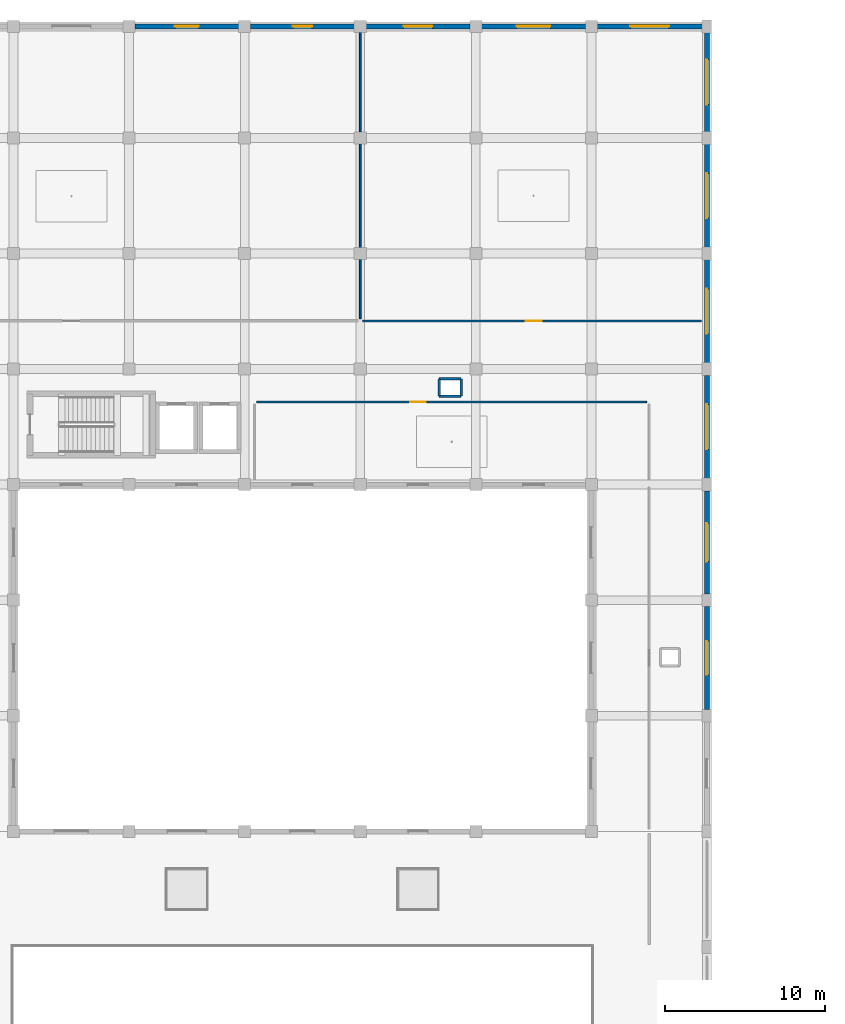
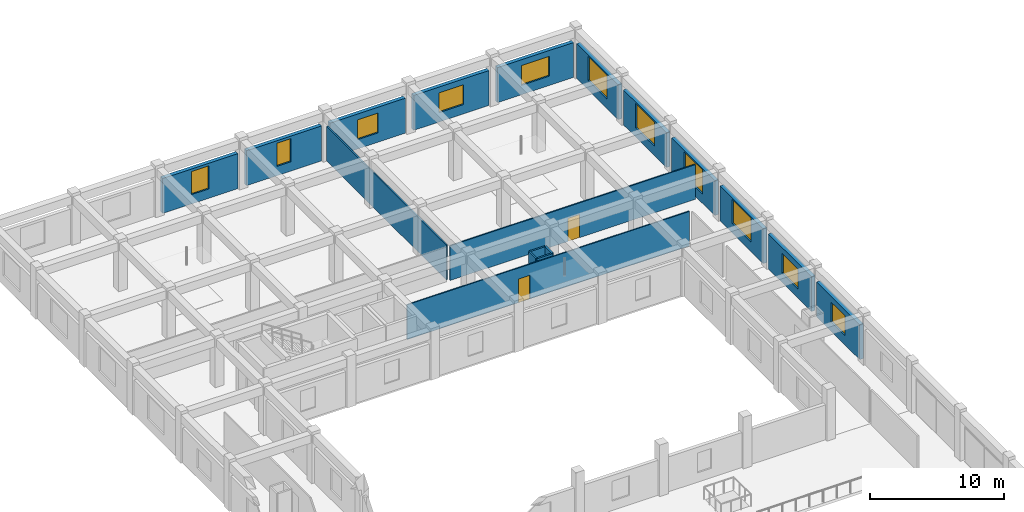
# One storey, part 34 of 55: 18 walls, 11 windows, 2 doors, 13 openings.
"""IFC4 building model written with IfcOpenShell, lengths in metres."""

from ifc_helpers import new_model, si_unit, direction, frame, frame_2d, origin, place, context, subcontext, project, spatial, rectangle, extrude, material, layer, layer_set, type_object, element, fill, save


model = new_model("IFC4")

# Units and contexts
model_context = context("Model", 3, precision=1e-05, world=origin(), true_north=direction((0.0, 1.0)))
body_context = subcontext(model_context, "Body", "Model", "MODEL_VIEW")
ifc_project = project(units=[si_unit("LENGTHUNIT", "METRE"), si_unit("AREAUNIT", "SQUARE_METRE"), si_unit("VOLUMEUNIT", "CUBIC_METRE"), si_unit("PLANEANGLEUNIT", "RADIAN"), si_unit("MASSUNIT", "GRAM", prefix="KILO")], contexts=[model_context])

# Site, building, storey
site_placement = place(None, origin())
site = spatial("IfcSite", under=ifc_project, at=site_placement, CompositionType="ELEMENT")
building_placement = place(site_placement, origin())
building = spatial("IfcBuilding", under=site, at=building_placement, Name="Kazehaya Institute of Natural Sciences", CompositionType="ELEMENT")
storey_placement = place(building_placement, frame((0.0, 0.0, 15.1201171875)))
storey = spatial("IfcBuildingStorey", under=building, at=storey_placement, Name="L03", CompositionType="ELEMENT", Elevation=15.1201171875)

# Wall, opening, window
ifc_material_1 = material(Name="Precast concrete Fc36", Category="concrete")
ifc_layer_1 = layer(ifc_material_1, 0.320068359375, Name="Precast concrete Fc36", Category="concrete")
ifc_layer_set_1 = layer_set([ifc_layer_1], Name="Precast concrete Fc36")
wall_type_1 = type_object("IfcWallType", Name="WL-EXT-320", PredefinedType="SOLIDWALL", material=ifc_layer_set_1)
wall_1_placement = place(storey_placement, frame((112.199951171875, 78.4150390625, 0.0), z_axis=(0.0, 0.0, 1.0), x_axis=(0.0, -1.0, 0.0)))
wall_1 = element("IfcWall", 1, at=wall_1_placement, inside=storey, type_object=wall_type_1, Name="L03 exterior wall EW-L03-0242", PredefinedType="SOLIDWALL", context=body_context, shape_type="SweptSolid", body=[
    extrude(rectangle(XDim=6.429931640625, YDim=0.320068359375, at=frame_2d((3.21484375, 0.0))), origin(), (0.0, 0.0, 1.0), 3.179931640625),
])
opening_1_placement = place(wall_1_placement, frame((2.1650390625, 0.0, 0.85009765625)))
opening_1 = element("IfcOpeningElement", 2, at=opening_1_placement, cuts=wall_1, Name="Opening W12", PredefinedType="OPENING", context=body_context, shape_type="SweptSolid", body=[
    extrude(rectangle(XDim=2.10009765625, YDim=1.800048828125, at=frame_2d((1.050048828125, 0.89990234375))), frame((0.0, 0.169921875, 0.0), z_axis=(0.0, -1.0, 0.0), x_axis=(1.0, 0.0, 0.0)), (0.0, 0.0, 1.0), 0.340087890625),
])
ifc_material_2 = material(Name="Low-E double-glazed aluminium window", Category="aluminium")
window_type_1 = type_object("IfcWindowType", Name="WN-12", PartitioningType="DOUBLE_PANEL_VERTICAL", PredefinedType="WINDOW", material=ifc_material_2)
window_1_placement = place(opening_1_placement, origin())
window_1 = element("IfcWindow", 3, at=window_1_placement, inside=storey, type_object=window_type_1, Name="L03 facade window 0142", OverallHeight=1.800048828125, OverallWidth=2.10009765625, PartitioningType="DOUBLE_PANEL_VERTICAL", PredefinedType="WINDOW", context=body_context, shape_type="SweptSolid", body=[
    extrude(rectangle(XDim=2.10009765625, YDim=1.800048828125, at=frame_2d((1.050048828125, 0.89990234375))), frame((0.0, 0.030029296875, 0.0), z_axis=(0.0, -1.0, 0.0), x_axis=(1.0, 0.0, 0.0)), (0.0, 0.0, 1.0), 0.06005859375),
])
fill(opening_1, window_1)

wall_2_placement = place(storey_placement, frame((112.199951171875, 85.614990234375, 0.0), z_axis=(0.0, 0.0, 1.0), x_axis=(0.0, -1.0, 0.0)))
wall_2 = element("IfcWall", 4, at=wall_2_placement, inside=storey, type_object=wall_type_1, Name="L03 exterior wall EW-L03-0246", PredefinedType="SOLIDWALL", context=body_context, shape_type="SweptSolid", body=[
    extrude(rectangle(XDim=6.429931640625, YDim=0.320068359375, at=frame_2d((3.21484375, 0.0))), origin(), (0.0, 0.0, 1.0), 3.179931640625),
])
opening_2_placement = place(wall_2_placement, frame((2.014892578125, 0.0, 0.85009765625)))
opening_2 = element("IfcOpeningElement", 5, at=opening_2_placement, cuts=wall_2, Name="Opening W13", PredefinedType="OPENING", context=body_context, shape_type="SweptSolid", body=[
    extrude(rectangle(XDim=2.39990234375, YDim=1.800048828125, at=frame_2d((1.199951171875, 0.89990234375))), frame((0.0, 0.169921875, 0.0), z_axis=(0.0, -1.0, 0.0), x_axis=(1.0, 0.0, 0.0)), (0.0, 0.0, 1.0), 0.340087890625),
])
window_type_2 = type_object("IfcWindowType", Name="WN-13", PartitioningType="DOUBLE_PANEL_VERTICAL", PredefinedType="WINDOW", material=ifc_material_2)
window_2_placement = place(opening_2_placement, origin())
window_2 = element("IfcWindow", 6, at=window_2_placement, inside=storey, type_object=window_type_2, Name="L03 facade window 0146", OverallHeight=1.800048828125, OverallWidth=2.39990234375, PartitioningType="DOUBLE_PANEL_VERTICAL", PredefinedType="WINDOW", context=body_context, shape_type="SweptSolid", body=[
    extrude(rectangle(XDim=2.39990234375, YDim=1.800048828125, at=frame_2d((1.199951171875, 0.89990234375))), frame((0.0, 0.030029296875, 0.0), z_axis=(0.0, -1.0, 0.0), x_axis=(1.0, 0.0, 0.0)), (0.0, 0.0, 1.0), 0.06005859375),
])
fill(opening_2, window_2)

wall_3_placement = place(storey_placement, frame((112.199951171875, 92.81494140625, 0.0), z_axis=(0.0, 0.0, 1.0), x_axis=(0.0, -1.0, 0.0)))
wall_3 = element("IfcWall", 7, at=wall_3_placement, inside=storey, type_object=wall_type_1, Name="L03 exterior wall EW-L03-0250", PredefinedType="SOLIDWALL", context=body_context, shape_type="SweptSolid", body=[
    extrude(rectangle(XDim=6.429931640625, YDim=0.320068359375, at=frame_2d((3.21484375, 0.0))), origin(), (0.0, 0.0, 1.0), 3.179931640625),
])
opening_3_placement = place(wall_3_placement, frame((1.81494140625, 0.0, 0.85009765625)))
opening_3 = element("IfcOpeningElement", 8, at=opening_3_placement, cuts=wall_3, Name="Opening W25", PredefinedType="OPENING", context=body_context, shape_type="SweptSolid", body=[
    extrude(rectangle(XDim=2.800048828125, YDim=2.199951171875, at=frame_2d((1.39990234375, 1.10009765625))), frame((0.0, 0.169921875, 0.0), z_axis=(0.0, -1.0, 0.0), x_axis=(1.0, 0.0, 0.0)), (0.0, 0.0, 1.0), 0.340087890625),
])
window_type_3 = type_object("IfcWindowType", Name="WN-25", PartitioningType="DOUBLE_PANEL_VERTICAL", PredefinedType="WINDOW", material=ifc_material_2)
window_3_placement = place(opening_3_placement, origin())
window_3 = element("IfcWindow", 9, at=window_3_placement, inside=storey, type_object=window_type_3, Name="L03 facade window 0150", OverallHeight=2.199951171875, OverallWidth=2.800048828125, PartitioningType="DOUBLE_PANEL_VERTICAL", PredefinedType="WINDOW", context=body_context, shape_type="SweptSolid", body=[
    extrude(rectangle(XDim=2.800048828125, YDim=2.199951171875, at=frame_2d((1.39990234375, 1.10009765625))), frame((0.0, 0.030029296875, 0.0), z_axis=(0.0, -1.0, 0.0), x_axis=(1.0, 0.0, 0.0)), (0.0, 0.0, 1.0), 0.06005859375),
])
fill(opening_3, window_3)

wall_4_placement = place(storey_placement, frame((112.199951171875, 100.014892578125, 0.0), z_axis=(0.0, 0.0, 1.0), x_axis=(0.0, -1.0, 0.0)))
wall_4 = element("IfcWall", 10, at=wall_4_placement, inside=storey, type_object=wall_type_1, Name="L03 exterior wall EW-L03-0252", PredefinedType="SOLIDWALL", context=body_context, shape_type="SweptSolid", body=[
    extrude(rectangle(XDim=6.429931640625, YDim=0.320068359375, at=frame_2d((3.21484375, 0.0))), origin(), (0.0, 0.0, 1.0), 3.179931640625),
])
opening_4_placement = place(wall_4_placement, frame((1.81494140625, 0.0, 0.85009765625)))
opening_4 = element("IfcOpeningElement", 11, at=opening_4_placement, cuts=wall_4, Name="Opening W25", PredefinedType="OPENING", context=body_context, shape_type="SweptSolid", body=[
    extrude(rectangle(XDim=2.800048828125, YDim=2.199951171875, at=frame_2d((1.39990234375, 1.10009765625))), frame((0.0, 0.169921875, 0.0), z_axis=(0.0, -1.0, 0.0), x_axis=(1.0, 0.0, 0.0)), (0.0, 0.0, 1.0), 0.340087890625),
])
window_4_placement = place(opening_4_placement, origin())
window_4 = element("IfcWindow", 12, at=window_4_placement, inside=storey, type_object=window_type_3, Name="L03 facade window 0152", OverallHeight=2.199951171875, OverallWidth=2.800048828125, PartitioningType="DOUBLE_PANEL_VERTICAL", PredefinedType="WINDOW", context=body_context, shape_type="SweptSolid", body=[
    extrude(rectangle(XDim=2.800048828125, YDim=2.199951171875, at=frame_2d((1.39990234375, 1.10009765625))), frame((0.0, 0.030029296875, 0.0), z_axis=(0.0, -1.0, 0.0), x_axis=(1.0, 0.0, 0.0)), (0.0, 0.0, 1.0), 0.06005859375),
])
fill(opening_4, window_4)

wall_5_placement = place(storey_placement, frame((112.199951171875, 107.215087890625, 0.0), z_axis=(0.0, 0.0, 1.0), x_axis=(0.0, -1.0, 0.0)))
wall_5 = element("IfcWall", 13, at=wall_5_placement, inside=storey, type_object=wall_type_1, Name="L03 exterior wall EW-L03-0254", PredefinedType="SOLIDWALL", context=body_context, shape_type="SweptSolid", body=[
    extrude(rectangle(XDim=6.43017578125, YDim=0.320068359375, at=frame_2d((3.215087890625, 0.0))), origin(), (0.0, 0.0, 1.0), 3.179931640625),
])
opening_5_placement = place(wall_5_placement, frame((1.81494140625, 0.0, 0.85009765625)))
opening_5 = element("IfcOpeningElement", 14, at=opening_5_placement, cuts=wall_5, Name="Opening W25", PredefinedType="OPENING", context=body_context, shape_type="SweptSolid", body=[
    extrude(rectangle(XDim=2.800048828125, YDim=2.199951171875, at=frame_2d((1.39990234375, 1.10009765625))), frame((0.0, 0.169921875, 0.0), z_axis=(0.0, -1.0, 0.0), x_axis=(1.0, 0.0, 0.0)), (0.0, 0.0, 1.0), 0.340087890625),
])
window_5_placement = place(opening_5_placement, origin())
window_5 = element("IfcWindow", 15, at=window_5_placement, inside=storey, type_object=window_type_3, Name="L03 facade window 0154", OverallHeight=2.199951171875, OverallWidth=2.800048828125, PartitioningType="DOUBLE_PANEL_VERTICAL", PredefinedType="WINDOW", context=body_context, shape_type="SweptSolid", body=[
    extrude(rectangle(XDim=2.800048828125, YDim=2.199951171875, at=frame_2d((1.39990234375, 1.10009765625))), frame((0.0, 0.030029296875, 0.0), z_axis=(0.0, -1.0, 0.0), x_axis=(1.0, 0.0, 0.0)), (0.0, 0.0, 1.0), 0.06005859375),
])
fill(opening_5, window_5)

wall_6_placement = place(storey_placement, frame((112.199951171875, 114.1650390625, 0.0), z_axis=(0.0, 0.0, 1.0), x_axis=(0.0, -1.0, 0.0)))
wall_6 = element("IfcWall", 16, at=wall_6_placement, inside=storey, type_object=wall_type_1, Name="L03 exterior wall EW-L03-0256", PredefinedType="SOLIDWALL", context=body_context, shape_type="SweptSolid", body=[
    extrude(rectangle(XDim=6.179931640625, YDim=0.320068359375, at=frame_2d((3.08984375, 0.0))), origin(), (0.0, 0.0, 1.0), 3.179931640625),
])
opening_6_placement = place(wall_6_placement, frame((1.68994140625, 0.0, 0.85009765625)))
opening_6 = element("IfcOpeningElement", 17, at=opening_6_placement, cuts=wall_6, Name="Opening W25", PredefinedType="OPENING", context=body_context, shape_type="SweptSolid", body=[
    extrude(rectangle(XDim=2.800048828125, YDim=2.199951171875, at=frame_2d((1.39990234375, 1.10009765625))), frame((0.0, 0.169921875, 0.0), z_axis=(0.0, -1.0, 0.0), x_axis=(1.0, 0.0, 0.0)), (0.0, 0.0, 1.0), 0.340087890625),
])
window_6_placement = place(opening_6_placement, origin())
window_6 = element("IfcWindow", 18, at=window_6_placement, inside=storey, type_object=window_type_3, Name="L03 facade window 0156", OverallHeight=2.199951171875, OverallWidth=2.800048828125, PartitioningType="DOUBLE_PANEL_VERTICAL", PredefinedType="WINDOW", context=body_context, shape_type="SweptSolid", body=[
    extrude(rectangle(XDim=2.800048828125, YDim=2.199951171875, at=frame_2d((1.39990234375, 1.10009765625))), frame((0.0, 0.030029296875, 0.0), z_axis=(0.0, -1.0, 0.0), x_axis=(1.0, 0.0, 0.0)), (0.0, 0.0, 1.0), 0.06005859375),
])
fill(opening_6, window_6)

wall_7_placement = place(storey_placement, frame((76.56005859375, 114.550048828125, 0.0), z_axis=(0.0, 0.0, 1.0), x_axis=(1.0, 0.0, 0.0)))
wall_7 = element("IfcWall", 19, at=wall_7_placement, inside=storey, type_object=wall_type_1, Name="L03 exterior wall EW-L03-0259", PredefinedType="SOLIDWALL", context=body_context, shape_type="SweptSolid", body=[
    extrude(rectangle(XDim=6.47998046875, YDim=0.320068359375, at=frame_2d((3.239990234375, 0.0))), origin(), (0.0, 0.0, 1.0), 3.179931640625),
])
opening_7_placement = place(wall_7_placement, frame((2.489990234375, 0.0, 0.85009765625)))
opening_7 = element("IfcOpeningElement", 20, at=opening_7_placement, cuts=wall_7, Name="Opening W09", PredefinedType="OPENING", context=body_context, shape_type="SweptSolid", body=[
    extrude(rectangle(XDim=1.5, YDim=2.10009765625, at=frame_2d((0.75, 1.050048828125))), frame((0.0, 0.169921875, 0.0), z_axis=(0.0, -1.0, 0.0), x_axis=(1.0, 0.0, 0.0)), (0.0, 0.0, 1.0), 0.340087890625),
])
window_type_4 = type_object("IfcWindowType", Name="WN-09", PartitioningType="SINGLE_PANEL", PredefinedType="WINDOW", material=ifc_material_2)
window_7_placement = place(opening_7_placement, origin())
window_7 = element("IfcWindow", 21, at=window_7_placement, inside=storey, type_object=window_type_4, Name="L03 facade window 0159", OverallHeight=2.10009765625, OverallWidth=1.5, PartitioningType="SINGLE_PANEL", PredefinedType="WINDOW", context=body_context, shape_type="SweptSolid", body=[
    extrude(rectangle(XDim=1.5, YDim=2.10009765625, at=frame_2d((0.75, 1.050048828125))), frame((0.0, 0.030029296875, 0.0), z_axis=(0.0, -1.0, 0.0), x_axis=(1.0, 0.0, 0.0)), (0.0, 0.0, 1.0), 0.06005859375),
])
fill(opening_7, window_7)

wall_8_placement = place(storey_placement, frame((83.760009765625, 114.550048828125, 0.0), z_axis=(0.0, 0.0, 1.0), x_axis=(1.0, 0.0, 0.0)))
wall_8 = element("IfcWall", 22, at=wall_8_placement, inside=storey, type_object=wall_type_1, Name="L03 exterior wall EW-L03-0260", PredefinedType="SOLIDWALL", context=body_context, shape_type="SweptSolid", body=[
    extrude(rectangle(XDim=6.47998046875, YDim=0.320068359375, at=frame_2d((3.239990234375, 0.0))), origin(), (0.0, 0.0, 1.0), 3.179931640625),
])
opening_8_placement = place(wall_8_placement, frame((2.639892578125, 0.0, 0.85009765625)))
opening_8 = element("IfcOpeningElement", 23, at=opening_8_placement, cuts=wall_8, Name="Opening W10", PredefinedType="OPENING", context=body_context, shape_type="SweptSolid", body=[
    extrude(rectangle(XDim=1.199951171875, YDim=2.10009765625, at=frame_2d((0.60009765625, 1.050048828125))), frame((0.0, 0.169921875, 0.0), z_axis=(0.0, -1.0, 0.0), x_axis=(1.0, 0.0, 0.0)), (0.0, 0.0, 1.0), 0.340087890625),
])
window_type_5 = type_object("IfcWindowType", Name="WN-10", PartitioningType="SINGLE_PANEL", PredefinedType="WINDOW", material=ifc_material_2)
window_8_placement = place(opening_8_placement, origin())
window_8 = element("IfcWindow", 24, at=window_8_placement, inside=storey, type_object=window_type_5, Name="L03 facade window 0160", OverallHeight=2.10009765625, OverallWidth=1.199951171875, PartitioningType="SINGLE_PANEL", PredefinedType="WINDOW", context=body_context, shape_type="SweptSolid", body=[
    extrude(rectangle(XDim=1.199951171875, YDim=2.10009765625, at=frame_2d((0.60009765625, 1.050048828125))), frame((0.0, 0.030029296875, 0.0), z_axis=(0.0, -1.0, 0.0), x_axis=(1.0, 0.0, 0.0)), (0.0, 0.0, 1.0), 0.06005859375),
])
fill(opening_8, window_8)

wall_9_placement = place(storey_placement, frame((90.9599609375, 114.550048828125, 0.0), z_axis=(0.0, 0.0, 1.0), x_axis=(1.0, 0.0, 0.0)))
wall_9 = element("IfcWall", 25, at=wall_9_placement, inside=storey, type_object=wall_type_1, Name="L03 exterior wall EW-L03-0261", PredefinedType="SOLIDWALL", context=body_context, shape_type="SweptSolid", body=[
    extrude(rectangle(XDim=6.47998046875, YDim=0.320068359375, at=frame_2d((3.239990234375, 0.0))), origin(), (0.0, 0.0, 1.0), 3.179931640625),
])
opening_9_placement = place(wall_9_placement, frame((2.340087890625, 0.0, 0.85009765625)))
opening_9 = element("IfcOpeningElement", 26, at=opening_9_placement, cuts=wall_9, Name="Opening W11", PredefinedType="OPENING", context=body_context, shape_type="SweptSolid", body=[
    extrude(rectangle(XDim=1.800048828125, YDim=1.800048828125, at=frame_2d((0.89990234375, 0.89990234375))), frame((0.0, 0.169921875, 0.0), z_axis=(0.0, -1.0, 0.0), x_axis=(1.0, 0.0, 0.0)), (0.0, 0.0, 1.0), 0.340087890625),
])
window_type_6 = type_object("IfcWindowType", Name="WN-11", PartitioningType="DOUBLE_PANEL_VERTICAL", PredefinedType="WINDOW", material=ifc_material_2)
window_9_placement = place(opening_9_placement, origin())
window_9 = element("IfcWindow", 27, at=window_9_placement, inside=storey, type_object=window_type_6, Name="L03 facade window 0161", OverallHeight=1.800048828125, OverallWidth=1.800048828125, PartitioningType="DOUBLE_PANEL_VERTICAL", PredefinedType="WINDOW", context=body_context, shape_type="SweptSolid", body=[
    extrude(rectangle(XDim=1.800048828125, YDim=1.800048828125, at=frame_2d((0.89990234375, 0.89990234375))), frame((0.0, 0.030029296875, 0.0), z_axis=(0.0, -1.0, 0.0), x_axis=(1.0, 0.0, 0.0)), (0.0, 0.0, 1.0), 0.06005859375),
])
fill(opening_9, window_9)

wall_10_placement = place(storey_placement, frame((98.159912109375, 114.550048828125, 0.0), z_axis=(0.0, 0.0, 1.0), x_axis=(1.0, 0.0, 0.0)))
wall_10 = element("IfcWall", 28, at=wall_10_placement, inside=storey, type_object=wall_type_1, Name="L03 exterior wall EW-L03-0262", PredefinedType="SOLIDWALL", context=body_context, shape_type="SweptSolid", body=[
    extrude(rectangle(XDim=6.47998046875, YDim=0.320068359375, at=frame_2d((3.239990234375, 0.0))), origin(), (0.0, 0.0, 1.0), 3.179931640625),
])
opening_10_placement = place(wall_10_placement, frame((2.18994140625, 0.0, 0.85009765625)))
opening_10 = element("IfcOpeningElement", 29, at=opening_10_placement, cuts=wall_10, Name="Opening W12", PredefinedType="OPENING", context=body_context, shape_type="SweptSolid", body=[
    extrude(rectangle(XDim=2.10009765625, YDim=1.800048828125, at=frame_2d((1.050048828125, 0.89990234375))), frame((0.0, 0.169921875, 0.0), z_axis=(0.0, -1.0, 0.0), x_axis=(1.0, 0.0, 0.0)), (0.0, 0.0, 1.0), 0.340087890625),
])
window_10_placement = place(opening_10_placement, origin())
window_10 = element("IfcWindow", 30, at=window_10_placement, inside=storey, type_object=window_type_1, Name="L03 facade window 0162", OverallHeight=1.800048828125, OverallWidth=2.10009765625, PartitioningType="DOUBLE_PANEL_VERTICAL", PredefinedType="WINDOW", context=body_context, shape_type="SweptSolid", body=[
    extrude(rectangle(XDim=2.10009765625, YDim=1.800048828125, at=frame_2d((1.050048828125, 0.89990234375))), frame((0.0, 0.030029296875, 0.0), z_axis=(0.0, -1.0, 0.0), x_axis=(1.0, 0.0, 0.0)), (0.0, 0.0, 1.0), 0.06005859375),
])
fill(opening_10, window_10)

wall_11_placement = place(storey_placement, frame((105.360107421875, 114.550048828125, 0.0), z_axis=(0.0, 0.0, 1.0), x_axis=(1.0, 0.0, 0.0)))
wall_11 = element("IfcWall", 31, at=wall_11_placement, inside=storey, type_object=wall_type_1, Name="L03 exterior wall EW-L03-0263", PredefinedType="SOLIDWALL", context=body_context, shape_type="SweptSolid", body=[
    extrude(rectangle(XDim=6.554931640625, YDim=0.320068359375, at=frame_2d((3.27734375, 0.0))), origin(), (0.0, 0.0, 1.0), 3.179931640625),
])
opening_11_placement = place(wall_11_placement, frame((2.077392578125, 0.0, 0.85009765625)))
opening_11 = element("IfcOpeningElement", 32, at=opening_11_placement, cuts=wall_11, Name="Opening W13", PredefinedType="OPENING", context=body_context, shape_type="SweptSolid", body=[
    extrude(rectangle(XDim=2.39990234375, YDim=1.800048828125, at=frame_2d((1.199951171875, 0.89990234375))), frame((0.0, 0.169921875, 0.0), z_axis=(0.0, -1.0, 0.0), x_axis=(1.0, 0.0, 0.0)), (0.0, 0.0, 1.0), 0.340087890625),
])
window_11_placement = place(opening_11_placement, origin())
window_11 = element("IfcWindow", 33, at=window_11_placement, inside=storey, type_object=window_type_2, Name="L03 facade window 0163", OverallHeight=1.800048828125, OverallWidth=2.39990234375, PartitioningType="DOUBLE_PANEL_VERTICAL", PredefinedType="WINDOW", context=body_context, shape_type="SweptSolid", body=[
    extrude(rectangle(XDim=2.39990234375, YDim=1.800048828125, at=frame_2d((1.199951171875, 0.89990234375))), frame((0.0, 0.030029296875, 0.0), z_axis=(0.0, -1.0, 0.0), x_axis=(1.0, 0.0, 0.0)), (0.0, 0.0, 1.0), 0.06005859375),
])
fill(opening_11, window_11)

# Wall, opening, door
ifc_material_3 = material(Name="Lightweight chase partition")
ifc_layer_2 = layer(ifc_material_3, 0.10009765625, Name="Lightweight chase partition")
ifc_layer_set_2 = layer_set([ifc_layer_2], Name="Lightweight chase partition")
wall_type_2 = type_object("IfcWallType", Name="WL-PART-100", PredefinedType="PARTITIONING", material=ifc_layer_set_2)
wall_12_placement = place(storey_placement, frame((84.14990234375, 91.14990234375, 0.0), z_axis=(0.0, 0.0, 1.0), x_axis=(1.0, 0.0, 0.0)))
wall_12 = element("IfcWall", 34, at=wall_12_placement, inside=storey, type_object=wall_type_2, Name="L03 Researcher Write-up Office partition IW-L03-0214", PredefinedType="PARTITIONING", context=body_context, shape_type="SweptSolid", body=[
    extrude(rectangle(XDim=24.300048828125, YDim=0.10009765625, at=frame_2d((12.14990234375, 0.0))), origin(), (0.0, 0.0, 1.0), 3.159912109375),
])
opening_12_placement = place(wall_12_placement, frame((9.554931640625, 0.0, 0.0)))
opening_12 = element("IfcOpeningElement", 35, at=opening_12_placement, cuts=wall_12, Name="Opening D-L03-0137", PredefinedType="OPENING", context=body_context, shape_type="SweptSolid", body=[
    extrude(rectangle(XDim=0.989990234375, YDim=2.159912109375, at=frame_2d((0.4951171875, 1.080078125))), frame((0.0, 0.06005859375, 0.0), z_axis=(0.0, -1.0, 0.0), x_axis=(1.0, 0.0, 0.0)), (0.0, 0.0, 1.0), 0.1201171875),
])
ifc_material_4 = material(Name="Flush timber and aluminium laboratory door", Category="wood")
door_type_1 = type_object("IfcDoorType", Name="DT-INT-15", OperationType="NOTDEFINED", PredefinedType="DOOR", material=ifc_material_4)
door_1_placement = place(opening_12_placement, origin())
door_1 = element("IfcDoor", 36, at=door_1_placement, inside=storey, type_object=door_type_1, Name="L03 Researcher Write-up Office door D-L03-0137", OperationType="SINGLE_SWING_LEFT", OverallHeight=2.159912109375, OverallWidth=0.989990234375, PredefinedType="DOOR", context=body_context, shape_type="SweptSolid", body=[
    extrude(rectangle(XDim=0.989990234375, YDim=2.159912109375, at=frame_2d((0.4951171875, 1.080078125))), frame((0.0, 0.02490234375, 0.0), z_axis=(0.0, -1.0, 0.0), x_axis=(1.0, 0.0, 0.0)), (0.0, 0.0, 1.0), 0.050048828125),
])
fill(opening_12, door_1)

ifc_material_5 = material(Name="Glazed office demountable partition")
ifc_layer_3 = layer(ifc_material_5, 0.110107421875, Name="Glazed office demountable partition")
ifc_layer_set_3 = layer_set([ifc_layer_3], Name="Glazed office demountable partition")
wall_type_3 = type_object("IfcWallType", Name="WL-PART-110", PredefinedType="PARTITIONING", material=ifc_layer_set_3)
wall_13_placement = place(storey_placement, frame((111.85009765625, 96.199951171875, 0.0), z_axis=(0.0, 0.0, 1.0), x_axis=(-1.0, 0.0, 0.0)))
wall_13 = element("IfcWall", 37, at=wall_13_placement, inside=storey, type_object=wall_type_3, Name="L03 Ecological Modelling Lab partition IW-L03-0213", PredefinedType="PARTITIONING", context=body_context, shape_type="SweptSolid", body=[
    extrude(rectangle(XDim=21.10009765625, YDim=0.110107421875, at=frame_2d((10.550048828125, 0.0))), origin(), (0.0, 0.0, 1.0), 3.159912109375),
])
opening_13_placement = place(wall_13_placement, frame((9.955078125, 0.0, 0.0)))
opening_13 = element("IfcOpeningElement", 38, at=opening_13_placement, cuts=wall_13, Name="Opening D-L03-0136", PredefinedType="OPENING", context=body_context, shape_type="SweptSolid", body=[
    extrude(rectangle(XDim=0.989990234375, YDim=2.10009765625, at=frame_2d((0.4951171875, 1.050048828125))), frame((0.0, 0.06494140625, 0.0), z_axis=(0.0, -1.0, 0.0), x_axis=(1.0, 0.0, 0.0)), (0.0, 0.0, 1.0), 0.130126953125),
])
door_type_2 = type_object("IfcDoorType", Name="DT-INT-14", OperationType="NOTDEFINED", PredefinedType="DOOR", material=ifc_material_4)
door_2_placement = place(opening_13_placement, origin())
door_2 = element("IfcDoor", 39, at=door_2_placement, inside=storey, type_object=door_type_2, Name="L03 Ecological Modelling Lab door D-L03-0136", OperationType="SINGLE_SWING_RIGHT", OverallHeight=2.10009765625, OverallWidth=0.989990234375, PredefinedType="DOOR", context=body_context, shape_type="SweptSolid", body=[
    extrude(rectangle(XDim=0.989990234375, YDim=2.10009765625, at=frame_2d((0.4951171875, 1.050048828125))), frame((0.0, 0.02490234375, 0.0), z_axis=(0.0, -1.0, 0.0), x_axis=(1.0, 0.0, 0.0)), (0.0, 0.0, 1.0), 0.050048828125),
])
fill(opening_13, door_2)

# Walls
ifc_material_6 = material(Name="Gypsum write-up office partition", Category="gypsum")
ifc_layer_4 = layer(ifc_material_6, 0.1201171875, Name="Gypsum write-up office partition", Category="gypsum")
ifc_layer_set_4 = layer_set([ifc_layer_4], Name="Gypsum write-up office partition")
wall_type_4 = type_object("IfcWallType", Name="WL-PART-120", PredefinedType="PARTITIONING", material=ifc_layer_set_4)
wall_14_placement = place(storey_placement, frame((90.60009765625, 114.199951171875, 0.0), z_axis=(0.0, 0.0, 1.0), x_axis=(0.0, -1.0, 0.0)))
element("IfcWall", 40, at=wall_14_placement, inside=storey, type_object=wall_type_4, Name="L03 Biostatistics Dry Laboratory partition IW-L03-0212", PredefinedType="PARTITIONING", context=body_context, shape_type="SweptSolid", body=[
    extrude(rectangle(XDim=17.849853515625, YDim=0.1201171875, at=frame_2d((8.9248046875, 0.0))), origin(), (0.0, 0.0, 1.0), 3.159912109375),
])
ifc_material_7 = material(Name="Concrete Fc36", Category="concrete")
ifc_layer_5 = layer(ifc_material_7, 0.14990234375, Name="Concrete Fc36", Category="concrete")
ifc_layer_set_5 = layer_set([ifc_layer_5], Name="Concrete Fc36")
wall_type_5 = type_object("IfcWallType", Name="WL-RISER-150", PredefinedType="PARTITIONING", material=ifc_layer_set_5)
for number, where, z_axis, x_axis, name in (
    (41, (96.885009765625, 91.514892578125, 0.0), (0.0, 0.0, 1.0), (-1.0, 0.0, 0.0), "L03 fume exhaust riser shaft wall 34"),
    (42, (95.514892578125, 92.5849609375, 0.0), (0.0, 0.0, 1.0), (1.0, 0.0, 0.0), "L03 fume exhaust riser shaft wall 34"),
):
    element("IfcWall", number, at=place(storey_placement, frame(where, z_axis=z_axis, x_axis=x_axis)), inside=storey, type_object=wall_type_5, Name=name, PredefinedType="PARTITIONING", context=body_context, shape_type="SweptSolid", body=[
        extrude(rectangle(XDim=1.3701171875, YDim=0.14990234375, at=frame_2d((0.68505859375, 0.0))), origin(), (0.0, 0.0, 1.0), 3.159912109375),
    ])
for number, where, z_axis, x_axis, name in (
    (43, (95.514892578125, 91.514892578125, 0.0), (0.0, 0.0, 1.0), (0.0, 1.0, 0.0), "L03 fume exhaust riser shaft wall 34"),
    (44, (96.885009765625, 92.5849609375, 0.0), (0.0, 0.0, 1.0), (0.0, -1.0, 0.0), "L03 fume exhaust riser shaft wall 34"),
):
    element("IfcWall", number, at=place(storey_placement, frame(where, z_axis=z_axis, x_axis=x_axis)), inside=storey, type_object=wall_type_5, Name=name, PredefinedType="PARTITIONING", context=body_context, shape_type="SweptSolid", body=[
        extrude(rectangle(XDim=1.070068359375, YDim=0.14990234375, at=frame_2d((0.53515625, 0.0))), origin(), (0.0, 0.0, 1.0), 3.159912109375),
    ])

save(model, "model.ifc")
